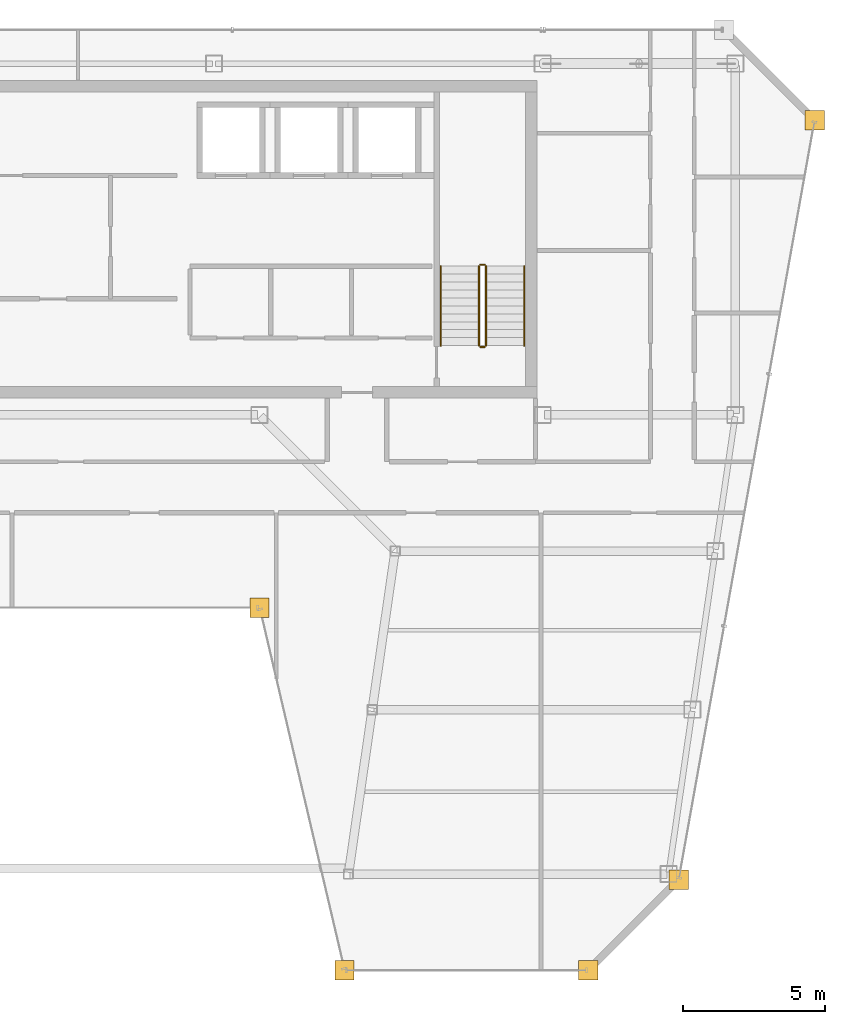
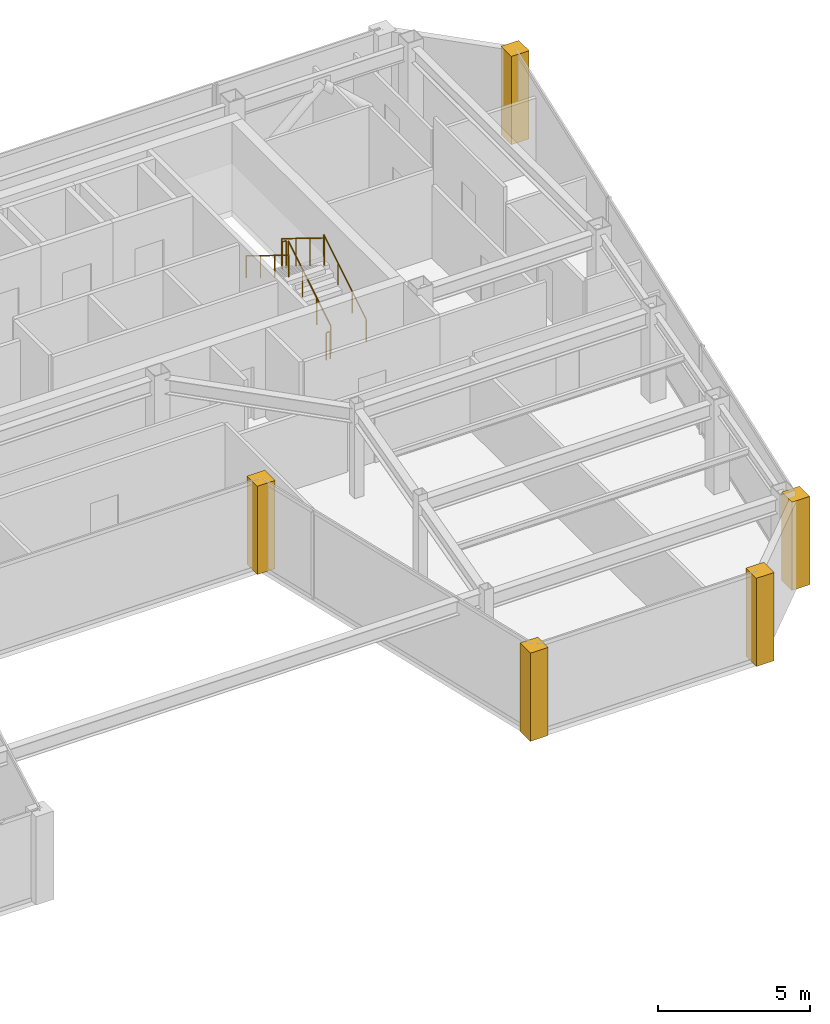
# One storey, part 31 of 32: 6 railings, 5 coverings.
"""IFC4 building model written with IfcOpenShell, lengths in metres."""

import ifcopenshell
import ifcopenshell.guid

model = None  # the IFC model being written
_history = None  # IfcOwnerHistory: only IFC2X3 demands one
_inside = {}  # id of a spatial element -> (the spatial element, [elements in it])
_under = {}  # id of a project, library or spatial element -> (it, [spatial elements below it])
_declared = {}  # id of a project -> (the project, [libraries it declares])
_typed = {}  # id of a type object -> (the type object, [elements of that type])
_made_of = {}  # id of a material, layer set ... -> (it, [elements and type objects made of it])


def new_model(schema):
    """Start an empty IFC model of exactly this schema.

    Asked for "IFC4X3", IfcOpenShell would pick the latest addendum, in which some entities
    have other attributes; the version numbers below select the first issue.
    IFC2X3 requires an IfcOwnerHistory on every rooted entity: one is made here for all.
    """
    global model, _history
    if schema == "IFC4X3":
        model = ifcopenshell.file(schema_version=(4, 3, 0, 0))
    else:
        model = ifcopenshell.file(schema=schema)
    _inside.clear()
    _under.clear()
    _declared.clear()
    _typed.clear()
    _made_of.clear()
    _history = None
    if model.schema == "IFC2X3":
        org = make("IfcOrganization", Name="unknown")
        user = make(
            "IfcPersonAndOrganization",
            ThePerson=make("IfcPerson", FamilyName="unknown"),
            TheOrganization=org,
        )
        app = make(
            "IfcApplication",
            ApplicationDeveloper=org,
            Version="unknown",
            ApplicationFullName="unknown",
            ApplicationIdentifier="unknown",
        )
        _history = make(
            "IfcOwnerHistory",
            OwningUser=user,
            OwningApplication=app,
            ChangeAction="ADDED",
            CreationDate=0,
        )
    return model


def make(cls, **values):
    """One entity of the class cls with the attributes given. An attribute that is None is left unset."""
    return model.create_entity(
        cls, **{name: value for name, value in values.items() if value is not None}
    )


def rooted(cls, **values):
    """An entity with a GlobalId (a new one), such as an element, a storey or a relation."""
    return make(cls, GlobalId=ifcopenshell.guid.new(), OwnerHistory=_history, **values)


def si_unit(unit_type, name, prefix=None):
    """IfcSIUnit, for example si_unit("LENGTHUNIT", "METRE", prefix="MILLI")."""
    return make("IfcSIUnit", UnitType=unit_type, Prefix=prefix, Name=name)


def assignment(units):
    """IfcUnitAssignment: the units of a project."""
    return None if units is None else make("IfcUnitAssignment", Units=units)


def point(xyz):
    """IfcCartesianPoint."""
    return None if xyz is None else make("IfcCartesianPoint", Coordinates=xyz)


def direction(xyz):
    """IfcDirection."""
    return None if xyz is None else make("IfcDirection", DirectionRatios=xyz)


def frame(location, z_axis=None, x_axis=None):
    """IfcAxis2Placement3D, a coordinate frame: its origin and axes. An axis left out is left unset."""
    return make(
        "IfcAxis2Placement3D",
        Location=point(location),
        Axis=direction(z_axis),
        RefDirection=direction(x_axis),
    )


def frame_2d(location, x_axis=None):
    """IfcAxis2Placement2D, a coordinate frame in the plane: its origin and x axis."""
    return make(
        "IfcAxis2Placement2D", Location=point(location), RefDirection=direction(x_axis)
    )


def origin():
    """The frame at (0, 0, 0) with its axes left unset."""
    return frame((0.0, 0.0, 0.0))


def origin_2d():
    """The frame at (0, 0) in the plane with its x axis left unset."""
    return frame_2d((0.0, 0.0))


def place(relative_to, where):
    """IfcLocalPlacement: puts the frame where relative to a parent placement (None: the world)."""
    return make(
        "IfcLocalPlacement", PlacementRelTo=relative_to, RelativePlacement=where
    )


def context(
    kind, dimensions, precision=None, world=None, true_north=None, identifier=None
):
    """IfcGeometricRepresentationContext, for example the 3D "Model" context."""
    return make(
        "IfcGeometricRepresentationContext",
        ContextIdentifier=identifier,
        ContextType=kind,
        CoordinateSpaceDimension=dimensions,
        Precision=precision,
        WorldCoordinateSystem=world,
        TrueNorth=true_north,
    )


def subcontext(parent, identifier, kind, view, scale=None):
    """IfcGeometricRepresentationSubContext, for example "Body" below "Model"."""
    return make(
        "IfcGeometricRepresentationSubContext",
        ContextIdentifier=identifier,
        ContextType=kind,
        ParentContext=parent,
        TargetScale=scale,
        TargetView=view,
    )


def project(units=None, contexts=None):
    """IfcProject with its units and contexts."""
    return rooted(
        "IfcProject",
        Name="project",
        RepresentationContexts=contexts,
        UnitsInContext=assignment(units),
    )


def spatial(cls, under=None, at=None, **own):
    """A site, building, storey or space (cls), placed at a placement, below another one or the project."""
    s = rooted(cls, ObjectPlacement=at, **own)
    if under is not None:
        _under.setdefault(under.id(), (under, []))[1].append(s)
    return s


def polyline(points):
    """IfcPolyline through the points."""
    return make("IfcPolyline", Points=[point(p) for p in points])


def profile(cls, at=None, kind="AREA", **sizes):
    """A parametric profile (cls). Its sizes go by their IFC names, for example OverallWidth=200.0."""
    return make(cls, ProfileType=kind, Position=at, **sizes)


def circle(**sizes):
    """IfcCircleProfileDef."""
    return profile("IfcCircleProfileDef", **sizes)


def outline(outer, holes=None, kind="AREA"):
    """IfcArbitraryClosedProfileDef: a profile drawn as a closed curve; with holes, ...WithVoids."""
    if holes is None:
        return make("IfcArbitraryClosedProfileDef", ProfileType=kind, OuterCurve=outer)
    return make(
        "IfcArbitraryProfileDefWithVoids",
        ProfileType=kind,
        OuterCurve=outer,
        InnerCurves=holes,
    )


def extrude(swept, where, along, depth):
    """IfcExtrudedAreaSolid: the profile swept, set in the frame where, extruded along a direction by depth."""
    return make(
        "IfcExtrudedAreaSolid",
        SweptArea=swept,
        Position=where,
        ExtrudedDirection=direction(along),
        Depth=depth,
    )


def shape(context_of_items, identifier, shape_type, items):
    """IfcShapeRepresentation: the items that make up one representation, for example the "Body"."""
    return make(
        "IfcShapeRepresentation",
        ContextOfItems=context_of_items,
        RepresentationIdentifier=identifier,
        RepresentationType=shape_type,
        Items=items,
    )


def material(Name=None, Category=None):
    """IfcMaterial."""
    return make("IfcMaterial", Name=Name, Category=Category)


def layer(
    of_material, thickness, ventilated=None, Name=None, Category=None, Priority=None
):
    """IfcMaterialLayer: one layer of a wall or slab, of a material (None: an air gap)."""
    return make(
        "IfcMaterialLayer",
        Material=of_material,
        LayerThickness=thickness,
        IsVentilated=ventilated,
        Name=Name,
        Category=Category,
        Priority=Priority,
    )


def layer_set(layers, Name=None):
    """IfcMaterialLayerSet."""
    return make("IfcMaterialLayerSet", MaterialLayers=layers, LayerSetName=Name)


def made_of(thing, what):
    """Note that an element or type object is made of a material, layer set ...; save() writes the relation."""
    if what is not None:
        _made_of.setdefault(what.id(), (what, []))[1].append(thing)
    return thing


def type_object(cls, material=None, **own):
    """A type object (cls), such as IfcWallType, which elements share."""
    return made_of(rooted(cls, **own), material)


def element(
    cls,
    number,
    at=None,
    inside=None,
    cuts=None,
    type_object=None,
    material=None,
    context=None,
    identifier="Body",
    shape_type=None,
    held_by="IfcProductDefinitionShape",
    body=None,
    shapes=None,
    **own,
):
    """One element of the class cls, such as IfcWall. Its Tag is "e" and its number.

    at: its placement. inside: the storey or other place that contains it. cuts: it is an
    opening in that element (IfcRelVoidsElement). A single representation is given by context,
    identifier, shape_type and body (its items); several are given by shapes. held_by: the class
    of the entity that holds the representations. save() writes the other relations.
    """
    e = rooted(cls, Tag="e%d" % number, ObjectPlacement=at, **own)
    if body is not None:
        shapes = [shape(context, identifier, shape_type, body)]
    if shapes is not None:
        e.Representation = make(held_by, Representations=shapes)
    if inside is not None:
        _inside.setdefault(inside.id(), (inside, []))[1].append(e)
    if cuts is not None:
        rooted(
            "IfcRelVoidsElement", RelatingBuildingElement=cuts, RelatedOpeningElement=e
        )
    if type_object is not None:
        _typed.setdefault(type_object.id(), (type_object, []))[1].append(e)
    return made_of(e, material)


def aggregate(whole, parts):
    """IfcRelAggregates: a whole, such as a stair, and the parts it consists of."""
    return rooted("IfcRelAggregates", RelatingObject=whole, RelatedObjects=parts)


def save(model, path):
    """Write the relations noted so far, then the file.

    IfcRelAggregates (storeys below a building ...), IfcRelContainedInSpatialStructure (elements
    in a storey), IfcRelDefinesByType, IfcRelAssociatesMaterial and IfcRelDeclares: one each for
    every whole, place, type object, material and project.
    """
    for whole, parts in _under.values():
        aggregate(whole, parts)
    for where, things in _inside.values():
        rooted(
            "IfcRelContainedInSpatialStructure",
            RelatedElements=things,
            RelatingStructure=where,
        )
    for kind, things in _typed.values():
        rooted("IfcRelDefinesByType", RelatedObjects=things, RelatingType=kind)
    for what, things in _made_of.values():
        rooted("IfcRelAssociatesMaterial", RelatedObjects=things, RelatingMaterial=what)
    for by, libraries in _declared.values():
        rooted("IfcRelDeclares", RelatingContext=by, RelatedDefinitions=libraries)
    model.write(path)


model = new_model("IFC4")

# Units and contexts
model_context = context("Model", 3, precision=1e-05, world=origin(), true_north=direction((0.0, 1.0)))
body_context = subcontext(model_context, "Body", "Model", "MODEL_VIEW")
ifc_project = project(units=[si_unit("LENGTHUNIT", "METRE"), si_unit("AREAUNIT", "SQUARE_METRE"), si_unit("VOLUMEUNIT", "CUBIC_METRE"), si_unit("PLANEANGLEUNIT", "RADIAN"), si_unit("MASSUNIT", "GRAM", prefix="KILO")], contexts=[model_context])

# Site, building, storey
site_placement = place(None, origin())
site = spatial("IfcSite", under=ifc_project, at=site_placement, CompositionType="ELEMENT")
building_placement = place(site_placement, origin())
building = spatial("IfcBuilding", under=site, at=building_placement, Name="Saevonmaru Cultural Tower", CompositionType="ELEMENT")
storey_placement = place(building_placement, frame((0.0, 0.0, 264.800048828125)))
storey = spatial("IfcBuildingStorey", under=building, at=storey_placement, Name="L62", CompositionType="ELEMENT", Elevation=264.800048828125)

# Coverings
ifc_material_1 = material(Name="Satin Bronze Anodised Aluminium", Category="aluminium")
ifc_layer = layer(ifc_material_1, 0.679931640625, Name="Satin Bronze Anodised Aluminium")
ifc_layer_set = layer_set([ifc_layer], Name="Satin Bronze Anodised Aluminium")
covering_type = type_object("IfcCoveringType", Name="CV-CORNER-CLAD", PredefinedType="CLADDING", material=ifc_layer_set)
covering_1_placement = place(storey_placement, origin())
element("IfcCovering", 1, at=covering_1_placement, inside=storey, type_object=covering_type, Name="L62 Tower Bronze Corner Cladding Pier 5", PredefinedType="CLADDING", context=body_context, shape_type="SweptSolid", body=[
    extrude(outline(polyline([(36.06396484375, 35.260009765625), (36.743896484375, 35.260009765625), (36.743896484375, 35.93994140625), (36.06396484375, 35.93994140625), (36.06396484375, 35.260009765625)])), origin(), (0.0, 0.0, 1.0), 3.550048828125),
])
covering_2_placement = place(storey_placement, origin())
element("IfcCovering", 2, at=covering_2_placement, inside=storey, type_object=covering_type, Name="L62 Tower Bronze Corner Cladding Pier 6", PredefinedType="CLADDING", context=body_context, shape_type="SweptSolid", body=[
    extrude(outline(polyline([(39.06396484375, 22.4599609375), (39.743896484375, 22.4599609375), (39.743896484375, 23.139892578125), (39.06396484375, 23.139892578125), (39.06396484375, 22.4599609375)])), origin(), (0.0, 0.0, 1.0), 3.550048828125),
])
covering_3_placement = place(storey_placement, origin())
element("IfcCovering", 3, at=covering_3_placement, inside=storey, type_object=covering_type, Name="L62 Tower Bronze Corner Cladding Pier 7", PredefinedType="CLADDING", context=body_context, shape_type="SweptSolid", body=[
    extrude(outline(polyline([(47.6640625, 22.4599609375), (48.343994140625, 22.4599609375), (48.343994140625, 23.139892578125), (47.6640625, 23.139892578125), (47.6640625, 22.4599609375)])), origin(), (0.0, 0.0, 1.0), 3.550048828125),
])
covering_4_placement = place(storey_placement, origin())
element("IfcCovering", 4, at=covering_4_placement, inside=storey, type_object=covering_type, Name="L62 Tower Bronze Corner Cladding Pier 8", PredefinedType="CLADDING", context=body_context, shape_type="SweptSolid", body=[
    extrude(outline(polyline([(50.864013671875, 25.659912109375), (51.5439453125, 25.659912109375), (51.5439453125, 26.340087890625), (50.864013671875, 26.340087890625), (50.864013671875, 25.659912109375)])), origin(), (0.0, 0.0, 1.0), 3.550048828125),
])
covering_5_placement = place(storey_placement, origin())
element("IfcCovering", 5, at=covering_5_placement, inside=storey, type_object=covering_type, Name="L62 Tower Bronze Corner Cladding Pier 9", PredefinedType="CLADDING", context=body_context, shape_type="SweptSolid", body=[
    extrude(outline(polyline([(55.659912109375, 52.4599609375), (56.340087890625, 52.4599609375), (56.340087890625, 53.139892578125), (55.659912109375, 53.139892578125), (55.659912109375, 52.4599609375)])), origin(), (0.0, 0.0, 1.0), 3.550048828125),
])

# Railings
ifc_material_2 = material(Name="Architectural Painted Steel", Category="steel")
railing_type_1 = type_object("IfcRailingType", Name="RL-STAIR-GUARD", PredefinedType="GUARDRAIL", material=ifc_material_2)
railing_1_placement = place(storey_placement, frame((44.39990234375, 44.85009765625, 0.172607421875)))
element("IfcRailing", 6, at=railing_1_placement, inside=storey, type_object=railing_type_1, Name="L62 ST-2 stair guard 1", PredefinedType="GUARDRAIL", context=body_context, shape_type="SweptSolid", body=[
    extrude(circle(Radius=0.02392578125, at=origin_2d()), frame((0.0, 0.0, 1.09619140625), z_axis=(0.0, 0.851069175582, 0.525053576669), x_axis=(-1.0, 0.0, 0.0)), (0.0, 0.0, 1.0), 3.289794921875),
    extrude(circle(Radius=0.02099609375, at=origin_2d()), origin(), (0.0, 0.0, 1.0), 1.072021484375),
    extrude(circle(Radius=0.02099609375, at=origin_2d()), frame((0.0, 0.933349609375, 0.57568359375)), (0.0, 0.0, 1.0), 1.072021484375),
    extrude(circle(Radius=0.02099609375, at=origin_2d()), frame((0.0, 1.866455078125, 1.151611328125)), (0.0, 0.0, 1.0), 1.072021484375),
    extrude(circle(Radius=0.02099609375, at=origin_2d()), frame((0.0, 2.7998046875, 1.727294921875)), (0.0, 0.0, 1.0), 1.072021484375),
])
railing_2_placement = place(storey_placement, frame((44.35009765625, 47.699951171875, 1.89990234375)))
element("IfcRailing", 7, at=railing_2_placement, inside=storey, type_object=railing_type_1, Name="L62 ST-2 stair guard 2", PredefinedType="GUARDRAIL", context=body_context, shape_type="SweptSolid", body=[
    extrude(circle(Radius=0.02392578125, at=origin_2d()), frame((0.0, 0.0, 1.09619140625), z_axis=(-1.0, 0.0, 0.0), x_axis=(0.0, -1.0, 0.0)), (0.0, 0.0, 1.0), 0.150146484375),
    extrude(circle(Radius=0.02099609375, at=origin_2d()), origin(), (0.0, 0.0, 1.0), 1.072021484375),
    extrude(circle(Radius=0.02099609375, at=origin_2d()), frame((-0.150146484375, 0.0, 0.0)), (0.0, 0.0, 1.0), 1.072021484375),
])
railing_3_placement = place(storey_placement, frame((44.14990234375, 47.64990234375, 2.07275390625)))
element("IfcRailing", 8, at=railing_3_placement, inside=storey, type_object=railing_type_1, Name="L62 ST-2 stair guard 3", PredefinedType="GUARDRAIL", context=body_context, shape_type="SweptSolid", body=[
    extrude(circle(Radius=0.02392578125, at=origin_2d()), frame((0.0, 0.0, 1.09619140625), z_axis=(0.0, -0.851069175582, 0.525053576669), x_axis=(1.0, 0.0, 0.0)), (0.0, 0.0, 1.0), 3.289794921875),
    extrude(circle(Radius=0.02099609375, at=origin_2d()), origin(), (0.0, 0.0, 1.0), 1.072021484375),
    extrude(circle(Radius=0.02099609375, at=origin_2d()), frame((0.0, -0.933349609375, 0.57568359375)), (0.0, 0.0, 1.0), 1.072021484375),
    extrude(circle(Radius=0.02099609375, at=origin_2d()), frame((0.0, -1.866455078125, 1.151611328125)), (0.0, 0.0, 1.0), 1.072021484375),
    extrude(circle(Radius=0.02099609375, at=origin_2d()), frame((0.0, -2.7998046875, 1.727294921875)), (0.0, 0.0, 1.0), 1.072021484375),
])
railing_4_placement = place(storey_placement, frame((44.35009765625, 44.800048828125, 0.0)))
element("IfcRailing", 9, at=railing_4_placement, inside=storey, type_object=railing_type_1, Name="L62 ST-2 stair guard 4", PredefinedType="GUARDRAIL", context=body_context, shape_type="SweptSolid", body=[
    extrude(circle(Radius=0.02392578125, at=origin_2d()), frame((0.0, 0.0, 1.09619140625), z_axis=(-1.0, 0.0, 0.0), x_axis=(0.0, -1.0, 0.0)), (0.0, 0.0, 1.0), 0.150146484375),
    extrude(circle(Radius=0.02099609375, at=origin_2d()), origin(), (0.0, 0.0, 1.0), 1.072021484375),
    extrude(circle(Radius=0.02099609375, at=origin_2d()), frame((-0.150146484375, 0.0, 0.0)), (0.0, 0.0, 1.0), 1.072021484375),
])
railing_type_2 = type_object("IfcRailingType", Name="RL-STAIR-HANDRAIL", PredefinedType="HANDRAIL", material=ifc_material_1)
railing_5_placement = place(storey_placement, frame((45.75, 44.85009765625, 0.172607421875)))
element("IfcRailing", 10, at=railing_5_placement, inside=storey, type_object=railing_type_2, Name="L62 ST-2 stair handrail 1", PredefinedType="HANDRAIL", context=body_context, shape_type="SweptSolid", body=[
    extrude(circle(Radius=0.02392578125, at=origin_2d()), frame((0.0, 0.0, 0.8759765625), z_axis=(0.0, 0.851069175582, 0.525053576669), x_axis=(-1.0, 0.0, 0.0)), (0.0, 0.0, 1.0), 3.289794921875),
    extrude(circle(Radius=0.02099609375, at=origin_2d()), origin(), (0.0, 0.0, 1.0), 0.851806640625),
    extrude(circle(Radius=0.02099609375, at=origin_2d()), frame((0.0, 0.933349609375, 0.57568359375)), (0.0, 0.0, 1.0), 0.851806640625),
    extrude(circle(Radius=0.02099609375, at=origin_2d()), frame((0.0, 1.866455078125, 1.151611328125)), (0.0, 0.0, 1.0), 0.851806640625),
    extrude(circle(Radius=0.02099609375, at=origin_2d()), frame((0.0, 2.7998046875, 1.727294921875)), (0.0, 0.0, 1.0), 0.851806640625),
])
railing_6_placement = place(storey_placement, frame((42.800048828125, 47.64990234375, 2.07275390625)))
element("IfcRailing", 11, at=railing_6_placement, inside=storey, type_object=railing_type_2, Name="L62 ST-2 stair handrail 2", PredefinedType="HANDRAIL", context=body_context, shape_type="SweptSolid", body=[
    extrude(circle(Radius=0.02392578125, at=origin_2d()), frame((0.0, 0.0, 0.8759765625), z_axis=(0.0, -0.851069175582, 0.525053576669), x_axis=(1.0, 0.0, 0.0)), (0.0, 0.0, 1.0), 3.289794921875),
    extrude(circle(Radius=0.02099609375, at=origin_2d()), origin(), (0.0, 0.0, 1.0), 0.851806640625),
    extrude(circle(Radius=0.02099609375, at=origin_2d()), frame((0.0, -0.933349609375, 0.57568359375)), (0.0, 0.0, 1.0), 0.851806640625),
    extrude(circle(Radius=0.02099609375, at=origin_2d()), frame((0.0, -1.866455078125, 1.151611328125)), (0.0, 0.0, 1.0), 0.851806640625),
    extrude(circle(Radius=0.02099609375, at=origin_2d()), frame((0.0, -2.7998046875, 1.727294921875)), (0.0, 0.0, 1.0), 0.851806640625),
])

save(model, "model.ifc")
